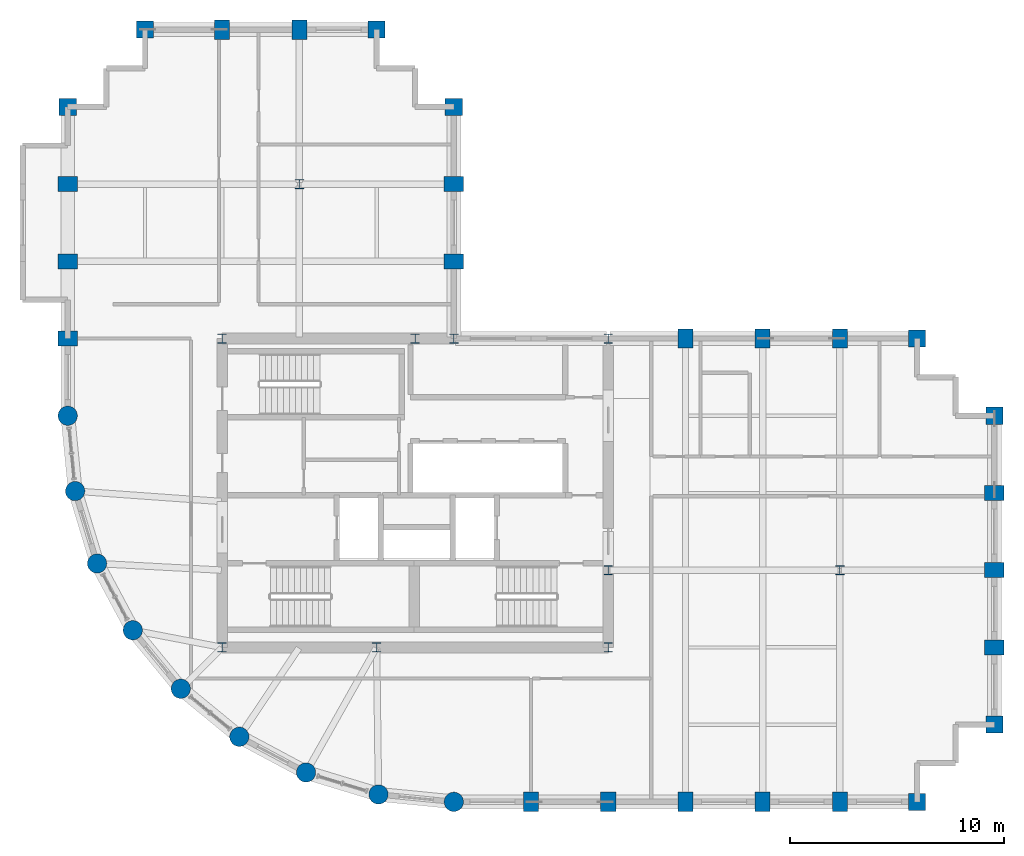
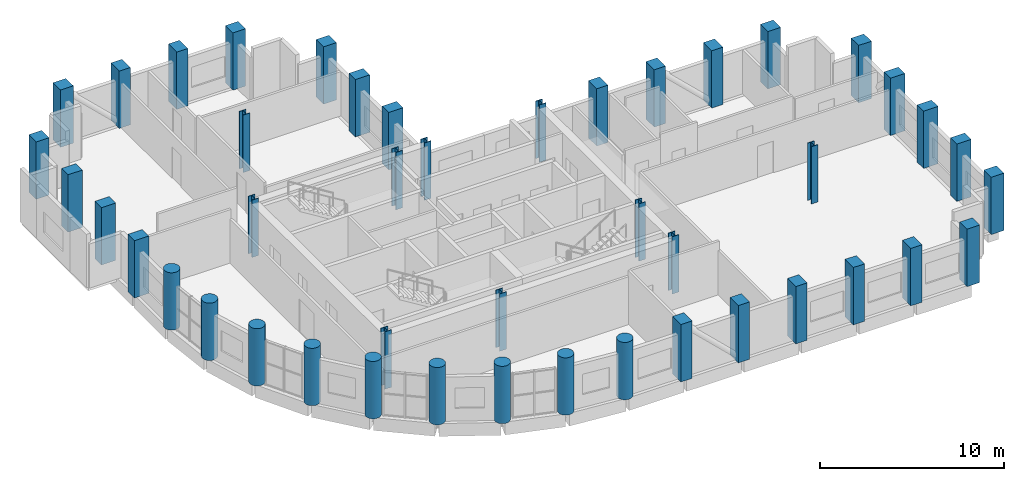
# One storey, part 1 of 12: 45 columns.
"""IFC4 building model written with IfcOpenShell, lengths in metres."""

from ifc_helpers import new_model, si_unit, direction, frame, origin, origin_2d, place, context, subcontext, project, spatial, rectangle, circle, i_section, extrude, material, material_profile, profile_set, type_object, element, save


model = new_model("IFC4")

# Units and contexts
model_context = context("Model", 3, precision=1e-05, world=origin(), true_north=direction((0.0, 1.0)))
body_context = subcontext(model_context, "Body", "Model", "MODEL_VIEW")
ifc_project = project(units=[si_unit("LENGTHUNIT", "METRE"), si_unit("AREAUNIT", "SQUARE_METRE"), si_unit("VOLUMEUNIT", "CUBIC_METRE"), si_unit("PLANEANGLEUNIT", "RADIAN"), si_unit("MASSUNIT", "GRAM", prefix="KILO")], contexts=[model_context])

# Site, building, storey
site_placement = place(None, origin())
site = spatial("IfcSite", under=ifc_project, at=site_placement, CompositionType="ELEMENT")
building_placement = place(site_placement, origin())
building = spatial("IfcBuilding", under=site, at=building_placement, Name="Solnavia Interchange Tower", CompositionType="ELEMENT")
storey_placement = place(building_placement, frame((0.0, 0.0, 193.800048828125)))
storey = spatial("IfcBuildingStorey", under=building, at=storey_placement, Name="L48", CompositionType="ELEMENT", Elevation=193.800048828125)

# Columns
ifc_material_1 = material(Name="Concrete C50/60", Category="concrete")
ifc_material_profile_1 = material_profile(ifc_material_1, rectangle(XDim=0.800048828125, YDim=0.800048828125, at=origin_2d()), Name="RC 800x800")
ifc_profile_set_1 = profile_set([ifc_material_profile_1], Name="Concrete C50/60")
column_type_1 = type_object("IfcColumnType", Name="Col-RC-800x800", PredefinedType="COLUMN", material=ifc_profile_set_1)
for number, where, z_axis, x_axis, name in (
    (1, (7.199951171875, 36.0, 0.0), (0.0, 0.0, 1.0), (0.0, 1.0, 0.0), "COL-L48-05 Tower corner column"),
    (2, (10.800048828125, 39.60009765625, 0.0), (0.0, 0.0, 1.0), (1.0, 0.0, 0.0), "COL-L48-09 Tower corner column"),
    (3, (21.60009765625, 39.60009765625, 0.0), (0.0, 0.0, 1.0), (1.0, 0.0, 0.0), "COL-L48-19 Tower corner column"),
    (4, (25.199951171875, 36.0, 0.0), (0.0, 0.0, 1.0), (0.0, 1.0, 0.0), "COL-L48-26 Tower corner column"),
    (5, (46.800048828125, 3.60009765625, 0.0), (0.0, 0.0, 1.0), (1.0, 0.0, 0.0), "COL-L48-39 Tower corner column"),
    (6, (46.800048828125, 25.199951171875, 0.0), (0.0, 0.0, 1.0), (1.0, 0.0, 0.0), "COL-L48-40 Tower corner column"),
    (7, (50.39990234375, 7.199951171875, 0.0), (0.0, 0.0, 1.0), (1.0, 0.0, 0.0), "COL-L48-41 Tower corner column"),
    (8, (50.39990234375, 21.60009765625, 0.0), (0.0, 0.0, 1.0), (0.0, 1.0, 0.0), "COL-L48-45 Tower corner column"),
):
    element("IfcColumn", number, at=place(storey_placement, frame(where, z_axis=z_axis, x_axis=x_axis)), inside=storey, type_object=column_type_1, Name=name, PredefinedType="COLUMN", context=body_context, shape_type="SweptSolid", body=[
        extrude(rectangle(XDim=0.800048828125, YDim=0.800048828125, at=origin_2d()), origin(), (0.0, 0.0, 1.0), 3.800048828125),
    ])
ifc_material_profile_2 = material_profile(ifc_material_1, rectangle(XDim=0.699951171875, YDim=0.89990234375, at=origin_2d()), Name="RC 900x700")
ifc_profile_set_2 = profile_set([ifc_material_profile_2], Name="Concrete C50/60")
column_type_2 = type_object("IfcColumnType", Name="Col-RC-900x700", PredefinedType="COLUMN", material=ifc_profile_set_2)
for number, where, z_axis, x_axis, name in (
    (9, (7.199951171875, 25.199951171875, 0.0), (0.0, 0.0, 1.0), (0.0, 1.0, 0.0), "COL-L48-02 Tower perim y column"),
    (10, (7.199951171875, 28.800048828125, 0.0), (0.0, 0.0, 1.0), (0.0, 1.0, 0.0), "COL-L48-03 Tower perim y column"),
    (11, (7.199951171875, 32.39990234375, 0.0), (0.0, 0.0, 1.0), (0.0, 1.0, 0.0), "COL-L48-04 Tower perim y column"),
    (12, (14.39990234375, 39.60009765625, 0.0), (0.0, 0.0, 1.0), (1.0, 0.0, 0.0), "COL-L48-13 Tower perim x column"),
    (13, (18.0, 39.60009765625, 0.0), (0.0, 0.0, 1.0), (1.0, 0.0, 0.0), "COL-L48-16 Tower perim x column"),
    (14, (25.199951171875, 28.800048828125, 0.0), (0.0, 0.0, 1.0), (0.0, 1.0, 0.0), "COL-L48-24 Tower perim y column"),
    (15, (25.199951171875, 32.39990234375, 0.0), (0.0, 0.0, 1.0), (0.0, 1.0, 0.0), "COL-L48-25 Tower perim y column"),
    (16, (28.800048828125, 3.60009765625, 0.0), (0.0, 0.0, 1.0), (1.0, 0.0, 0.0), "COL-L48-27 Tower perim x column"),
    (17, (32.39990234375, 3.60009765625, 0.0), (0.0, 0.0, 1.0), (1.0, 0.0, 0.0), "COL-L48-28 Tower perim x column"),
    (18, (36.0, 3.60009765625, 0.0), (0.0, 0.0, 1.0), (1.0, 0.0, 0.0), "COL-L48-32 Tower perim x column"),
    (19, (36.0, 25.199951171875, 0.0), (0.0, 0.0, 1.0), (1.0, 0.0, 0.0), "COL-L48-33 Tower perim x column"),
    (20, (39.60009765625, 3.60009765625, 0.0), (0.0, 0.0, 1.0), (1.0, 0.0, 0.0), "COL-L48-34 Tower perim x column"),
    (21, (39.60009765625, 25.199951171875, 0.0), (0.0, 0.0, 1.0), (1.0, 0.0, 0.0), "COL-L48-35 Tower perim x column"),
    (22, (43.199951171875, 3.60009765625, 0.0), (0.0, 0.0, 1.0), (1.0, 0.0, 0.0), "COL-L48-36 Tower perim x column"),
    (23, (43.199951171875, 25.199951171875, 0.0), (0.0, 0.0, 1.0), (1.0, 0.0, 0.0), "COL-L48-38 Tower perim x column"),
    (24, (50.39990234375, 10.800048828125, 0.0), (0.0, 0.0, 1.0), (0.0, 1.0, 0.0), "COL-L48-42 Tower perim y column"),
    (25, (50.39990234375, 14.39990234375, 0.0), (0.0, 0.0, 1.0), (0.0, 1.0, 0.0), "COL-L48-43 Tower perim y column"),
    (26, (50.39990234375, 18.0, 0.0), (0.0, 0.0, 1.0), (0.0, 1.0, 0.0), "COL-L48-44 Tower perim y column"),
):
    element("IfcColumn", number, at=place(storey_placement, frame(where, z_axis=z_axis, x_axis=x_axis)), inside=storey, type_object=column_type_2, Name=name, PredefinedType="COLUMN", context=body_context, shape_type="SweptSolid", body=[
        extrude(rectangle(XDim=0.699951171875, YDim=0.89990234375, at=origin_2d()), origin(), (0.0, 0.0, 1.0), 3.800048828125),
    ])
ifc_material_profile_3 = material_profile(ifc_material_1, circle(Radius=0.449951171875, at=origin_2d()), Name="RC D900")
ifc_profile_set_3 = profile_set([ifc_material_profile_3], Name="Concrete C50/60")
column_type_3 = type_object("IfcColumnType", Name="Col-RC-D900", PredefinedType="COLUMN", material=ifc_profile_set_3)
for number, where, z_axis, x_axis, name in (
    (27, (7.199951171875, 21.60009765625, 0.0), (0.0, 0.0, 1.0), (1.0, 0.0, 0.0), "COL-L48-01 Tower drum column"),
    (28, (7.5458984375, 18.087890625, 0.0), (0.0, 0.0, 1.0), (1.0, 0.0, 0.0), "COL-L48-06 Tower drum column"),
    (29, (8.570068359375, 14.7119140625, 0.0), (0.0, 0.0, 1.0), (1.0, 0.0, 0.0), "COL-L48-07 Tower drum column"),
    (30, (10.23388671875, 11.60009765625, 0.0), (0.0, 0.0, 1.0), (1.0, 0.0, 0.0), "COL-L48-08 Tower drum column"),
    (31, (12.471923828125, 8.8720703125, 0.0), (0.0, 0.0, 1.0), (1.0, 0.0, 0.0), "COL-L48-10 Tower drum column"),
    (32, (15.199951171875, 6.634033203125, 0.0), (0.0, 0.0, 1.0), (1.0, 0.0, 0.0), "COL-L48-14 Tower drum column"),
    (33, (18.31201171875, 4.969970703125, 0.0), (0.0, 0.0, 1.0), (1.0, 0.0, 0.0), "COL-L48-17 Tower drum column"),
    (34, (21.68798828125, 3.946044921875, 0.0), (0.0, 0.0, 1.0), (1.0, 0.0, 0.0), "COL-L48-20 Tower drum column"),
    (35, (25.199951171875, 3.60009765625, 0.0), (0.0, 0.0, 1.0), (1.0, 0.0, 0.0), "COL-L48-22 Tower drum column"),
):
    element("IfcColumn", number, at=place(storey_placement, frame(where, z_axis=z_axis, x_axis=x_axis)), inside=storey, type_object=column_type_3, Name=name, PredefinedType="COLUMN", context=body_context, shape_type="SweptSolid", body=[
        extrude(circle(Radius=0.449951171875, at=origin_2d()), origin(), (0.0, 0.0, 1.0), 3.800048828125),
    ])
ifc_material_2 = material(Name="Steel S355", Category="steel")
ifc_material_profile_4 = material_profile(ifc_material_2, i_section(OverallWidth=0.416015625, OverallDepth=0.44189453125, WebThickness=0.02490234375, FlangeThickness=0.041015625, FilletRadius=0.014892578125, at=origin_2d()), Name="HD 400x382")
ifc_profile_set_4 = profile_set([ifc_material_profile_4], Name="Steel S355")
column_type_4 = type_object("IfcColumnType", Name="Col-Steel-HD400x382", PredefinedType="COLUMN", material=ifc_profile_set_4)
for number, where, z_axis, x_axis, name in (
    (36, (14.39990234375, 10.800048828125, 0.0), (0.0, 0.0, 1.0), (1.0, 0.0, 0.0), "COL-L48-11 Tower interior column"),
    (37, (14.39990234375, 25.199951171875, 0.0), (0.0, 0.0, 1.0), (1.0, 0.0, 0.0), "COL-L48-12 Tower interior column"),
    (38, (18.0, 32.39990234375, 0.0), (0.0, 0.0, 1.0), (1.0, 0.0, 0.0), "COL-L48-15 Tower interior column"),
    (39, (21.60009765625, 10.800048828125, 0.0), (0.0, 0.0, 1.0), (1.0, 0.0, 0.0), "COL-L48-18 Tower interior column"),
    (40, (23.39990234375, 25.199951171875, 0.0), (0.0, 0.0, 1.0), (1.0, 0.0, 0.0), "COL-L48-21 Tower interior column"),
    (41, (25.199951171875, 25.199951171875, 0.0), (0.0, 0.0, 1.0), (1.0, 0.0, 0.0), "COL-L48-23 Tower interior column"),
    (42, (32.39990234375, 10.800048828125, 0.0), (0.0, 0.0, 1.0), (1.0, 0.0, 0.0), "COL-L48-29 Tower interior column"),
    (43, (32.39990234375, 14.39990234375, 0.0), (0.0, 0.0, 1.0), (1.0, 0.0, 0.0), "COL-L48-30 Tower interior column"),
    (44, (32.39990234375, 25.199951171875, 0.0), (0.0, 0.0, 1.0), (1.0, 0.0, 0.0), "COL-L48-31 Tower interior column"),
    (45, (43.199951171875, 14.39990234375, 0.0), (0.0, 0.0, 1.0), (1.0, 0.0, 0.0), "COL-L48-37 Tower interior column"),
):
    element("IfcColumn", number, at=place(storey_placement, frame(where, z_axis=z_axis, x_axis=x_axis)), inside=storey, type_object=column_type_4, Name=name, PredefinedType="COLUMN", context=body_context, shape_type="SweptSolid", body=[
        extrude(i_section(OverallWidth=0.416015625, OverallDepth=0.44189453125, WebThickness=0.02490234375, FlangeThickness=0.041015625, FilletRadius=0.014892578125, at=origin_2d()), origin(), (0.0, 0.0, 1.0), 3.800048828125),
    ])

save(model, "model.ifc")
